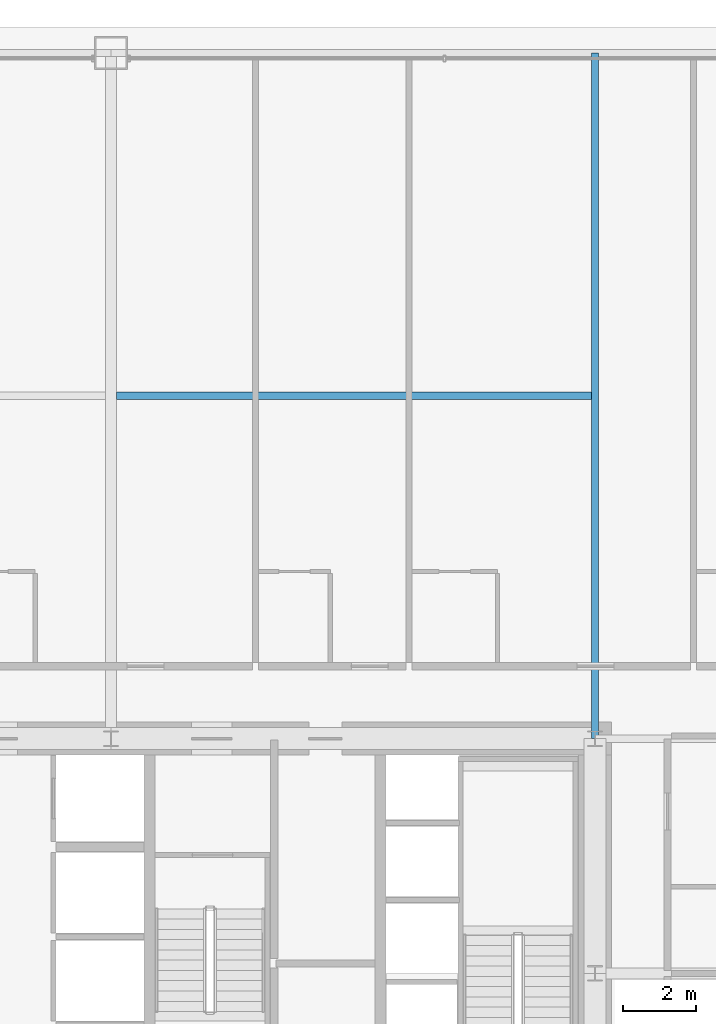
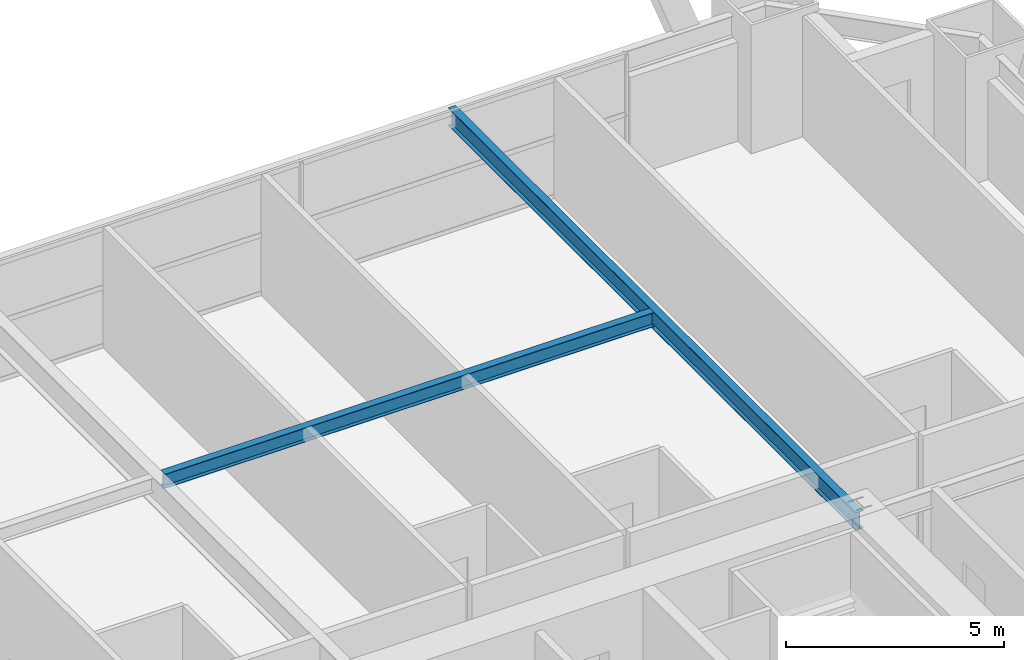
# One storey, part 31 of 43: 2 beams.
"""IFC4 building model written with IfcOpenShell, lengths in metres."""

from ifc_helpers import new_model, si_unit, direction, frame, origin, origin_2d, place, context, subcontext, project, spatial, i_section, extrude, source, transform, mapped, material, material_profile, profile_set, type_object, element, save


model = new_model("IFC4")

# Units and contexts
model_context = context("Model", 3, precision=1e-05, world=origin(), true_north=direction((0.0, 1.0)))
body_context = subcontext(model_context, "Body", "Model", "MODEL_VIEW")
ifc_project = project(units=[si_unit("LENGTHUNIT", "METRE"), si_unit("AREAUNIT", "SQUARE_METRE"), si_unit("VOLUMEUNIT", "CUBIC_METRE"), si_unit("PLANEANGLEUNIT", "RADIAN"), si_unit("MASSUNIT", "GRAM", prefix="KILO"), si_unit("THERMODYNAMICTEMPERATUREUNIT", "KELVIN"), si_unit("POWERUNIT", "WATT")], contexts=[model_context])

# Site, building, storey
site_placement = place(None, origin())
site = spatial("IfcSite", under=ifc_project, at=site_placement, CompositionType="ELEMENT")
building_placement = place(site_placement, origin())
building = spatial("IfcBuilding", under=site, at=building_placement, Name="Yuzanri Waterfront Tower", CompositionType="ELEMENT")
storey_placement = place(building_placement, frame((0.0, 0.0, 46.0)))
storey = spatial("IfcBuildingStorey", under=building, at=storey_placement, Name="L11", CompositionType="ELEMENT", Elevation=46.0)

# Beams
ifc_material_1 = material(Name="Steel Q355B", Category="steel")
ifc_material_profile_1 = material_profile(ifc_material_1, i_section(OverallWidth=0.199951171875, OverallDepth=0.5, WebThickness=0.010009765625, FlangeThickness=0.01611328125, at=origin_2d()), Name="HN 500x200x10x16")
ifc_profile_set_1 = profile_set([ifc_material_profile_1], Name="Steel Q355B")
beam_type_1 = type_object("IfcBeamType", Name="Secondary Floor Beam Q355B HN 500x200", PredefinedType="BEAM", material=ifc_profile_set_1)
shared_shape_1 = source(origin(), body_context, "Body", "SweptSolid", [
    extrude(i_section(OverallWidth=0.199951171875, OverallDepth=0.5, WebThickness=0.010009765625, FlangeThickness=0.01611328125, at=origin_2d()), origin(), (0.0, 0.0, 1.0), 18.699951171875),
])
beam_1_placement = place(storey_placement, frame((50.199951171875, 32.199951171875, 3.1298828125), z_axis=(0.0, 1.0, 0.0), x_axis=(-1.0, 0.0, 0.0)))
element("IfcBeam", 1, at=beam_1_placement, inside=storey, type_object=beam_type_1, Name="L11 North-East Core Line Beam", PredefinedType="BEAM", context=body_context, shape_type="MappedRepresentation", body=[
    mapped(shared_shape_1, transform((0.0, 0.0, 0.0), scale=1.0)),
])
ifc_material_2 = material(Name="Steel Q355B", Category="steel")
ifc_material_profile_2 = material_profile(ifc_material_2, i_section(OverallWidth=0.199951171875, OverallDepth=0.39990234375, WebThickness=0.008056640625, FlangeThickness=0.012939453125, at=origin_2d()), Name="HN 400x200x8x13")
ifc_profile_set_2 = profile_set([ifc_material_profile_2], Name="Steel Q355B")
beam_type_2 = type_object("IfcBeamType", Name="Floor Joist Q355B HN 400x200", PredefinedType="JOIST", material=ifc_profile_set_2)
shared_shape_2 = source(origin(), body_context, "Body", "SweptSolid", [
    extrude(i_section(OverallWidth=0.199951171875, OverallDepth=0.39990234375, WebThickness=0.008056640625, FlangeThickness=0.012939453125, at=origin_2d()), origin(), (0.0, 0.0, 1.0), 12.9501953125),
])
beam_2_placement = place(storey_placement, frame((37.14990234375, 41.550048828125, 3.179931640625), z_axis=(1.0, 0.0, 0.0), x_axis=(0.0, 1.0, 0.0)))
element("IfcBeam", 2, at=beam_2_placement, inside=storey, type_object=beam_type_2, Name="L11 North Bay Joist E", PredefinedType="JOIST", context=body_context, shape_type="MappedRepresentation", body=[
    mapped(shared_shape_2, transform((0.0, 0.0, 0.0), scale=1.0)),
])

save(model, "model.ifc")
